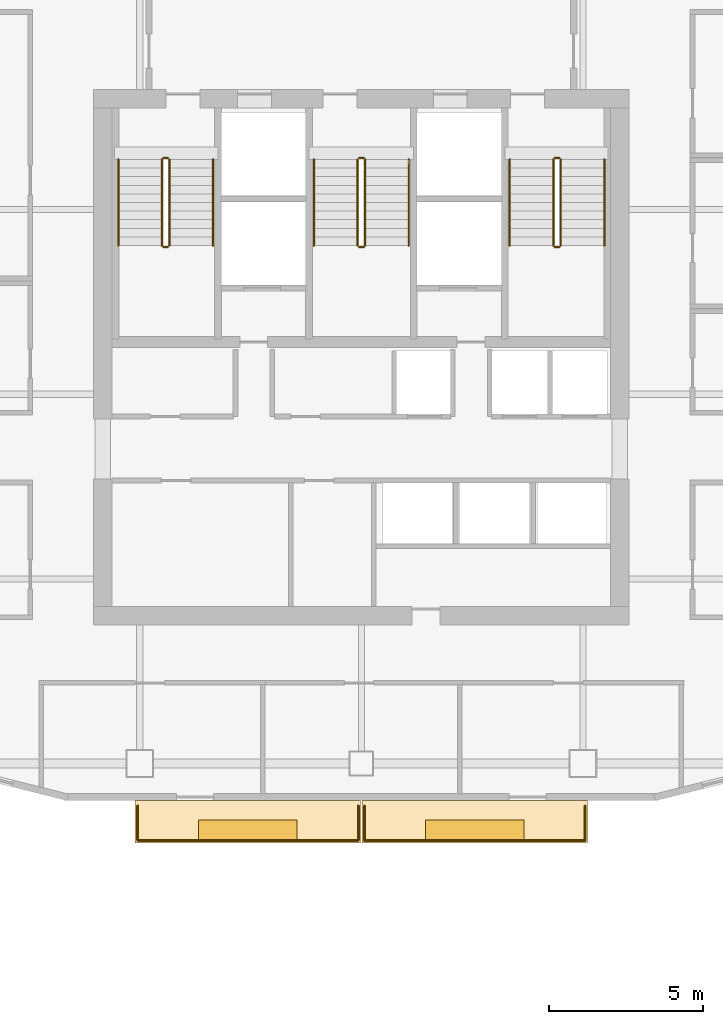
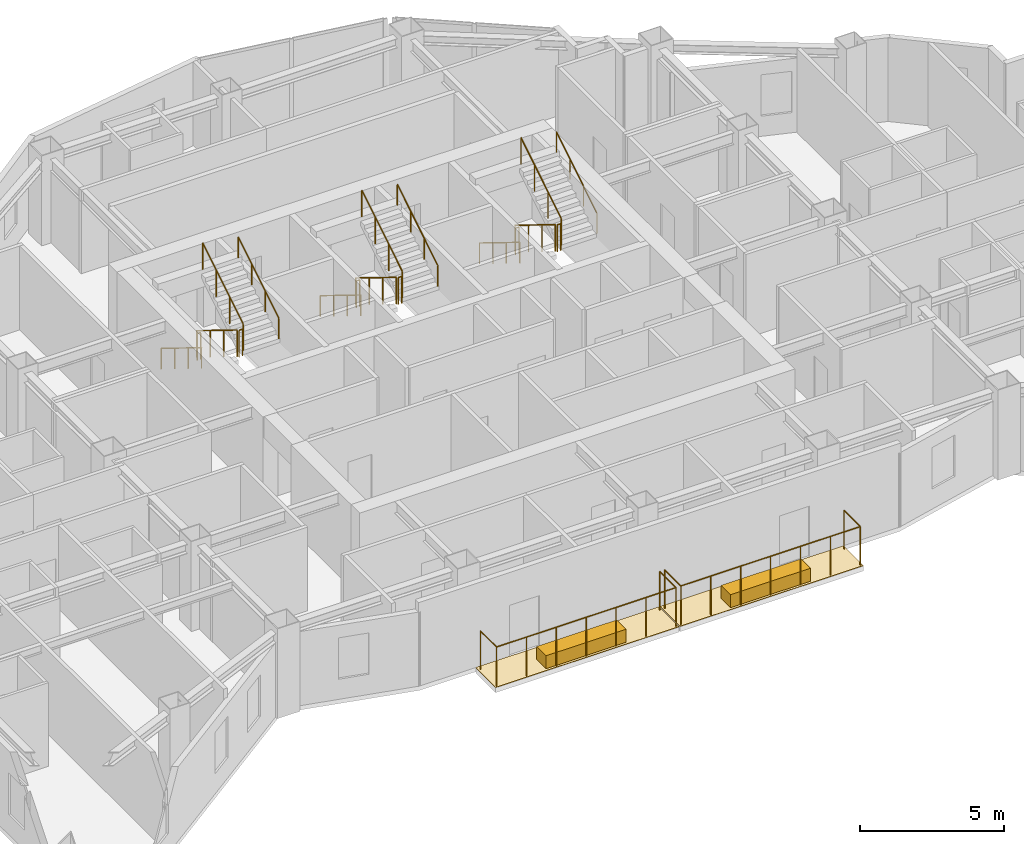
# One storey, part 11 of 11: 22 railings, 4 coverings.
"""IFC4 building model written with IfcOpenShell, lengths in metres."""

from ifc_helpers import new_model, si_unit, direction, frame, origin, origin_2d, place, context, subcontext, project, spatial, polyline, rectangle, circle, outline, extrude, material, layer, layer_set, type_object, element, save


model = new_model("IFC4")

# Units and contexts
model_context = context("Model", 3, precision=1e-05, world=origin(), true_north=direction((0.0, 1.0)))
body_context = subcontext(model_context, "Body", "Model", "MODEL_VIEW")
ifc_project = project(units=[si_unit("LENGTHUNIT", "METRE"), si_unit("AREAUNIT", "SQUARE_METRE"), si_unit("VOLUMEUNIT", "CUBIC_METRE"), si_unit("PLANEANGLEUNIT", "RADIAN"), si_unit("MASSUNIT", "GRAM", prefix="KILO")], contexts=[model_context])

# Site, building, storey
site_placement = place(None, origin())
site = spatial("IfcSite", under=ifc_project, at=site_placement, CompositionType="ELEMENT")
building_placement = place(site_placement, origin())
building = spatial("IfcBuilding", under=site, at=building_placement, Name="Haolan Belvedere Tower", CompositionType="ELEMENT")
storey_placement = place(building_placement, frame((0.0, 0.0, 226.800048828125)))
storey = spatial("IfcBuildingStorey", under=building, at=storey_placement, Name="L57", CompositionType="ELEMENT", Elevation=226.800048828125)

# Coverings
ifc_material_1 = material(Name="Engineered lightweight planted garden soil substrate", Category="masonry")
ifc_layer_1 = layer(ifc_material_1, 0.550048828125, Name="Engineered lightweight planted garden soil substrate")
ifc_layer_set_1 = layer_set([ifc_layer_1], Name="Engineered lightweight planted garden soil substrate")
covering_type_1 = type_object("IfcCoveringType", Name="COV-PLANT-550", PredefinedType="MEMBRANE", material=ifc_layer_set_1)
for number, where, z_axis, x_axis, name in (
    (1, (34.715087890625, 19.43994140625, 0.0), (0.0, 0.0, 1.0), (1.0, 0.0, 0.0), "L57 structural tree balcony PLANTER box 1"),
    (2, (42.0849609375, 19.43994140625, 0.0), (0.0, 0.0, 1.0), (1.0, 0.0, 0.0), "L57 structural tree balcony PLANTER box 2"),
):
    element("IfcCovering", number, at=place(storey_placement, frame(where, z_axis=z_axis, x_axis=x_axis)), inside=storey, type_object=covering_type_1, Name=name, PredefinedType="MEMBRANE", context=body_context, shape_type="SweptSolid", body=[
        extrude(rectangle(XDim=3.199951171875, YDim=0.64990234375, at=origin_2d()), origin(), (0.0, 0.0, 1.0), 0.550048828125),
    ])
ifc_material_2 = material(Name="Elastomeric waterproof roofing membrane and stone pavers", Category="masonry")
ifc_layer_2 = layer(ifc_material_2, 0.02001953125, Name="Elastomeric waterproof roofing membrane and stone pavers")
ifc_layer_set_2 = layer_set([ifc_layer_2], Name="Elastomeric waterproof roofing membrane and stone pavers")
covering_type_2 = type_object("IfcCoveringType", Name="COV-ROOF-20", PredefinedType="ROOFING", material=ifc_layer_set_2)
covering_1_placement = place(storey_placement, frame((0.0, 0.0, -0.02001953125)))
element("IfcCovering", 3, at=covering_1_placement, inside=storey, type_object=covering_type_2, Name="L57 tree-balcony waterproof membrane 1", PredefinedType="ROOFING", context=body_context, shape_type="SweptSolid", body=[
    extrude(outline(polyline([(31.050048828125, 19.02001953125), (38.3798828125, 19.02001953125), (38.3798828125, 20.39990234375), (31.050048828125, 20.39990234375), (31.050048828125, 19.02001953125)])), origin(), (0.0, 0.0, 1.0), 0.02001953125),
])
covering_2_placement = place(storey_placement, frame((0.0, 0.0, -0.02001953125)))
element("IfcCovering", 4, at=covering_2_placement, inside=storey, type_object=covering_type_2, Name="L57 tree-balcony waterproof membrane 2", PredefinedType="ROOFING", context=body_context, shape_type="SweptSolid", body=[
    extrude(outline(polyline([(38.419921875, 19.02001953125), (45.75, 19.02001953125), (45.75, 20.39990234375), (38.419921875, 20.39990234375), (38.419921875, 19.02001953125)])), origin(), (0.0, 0.0, 1.0), 0.02001953125),
])

# Railings
ifc_material_3 = material(Name="Brushed stainless steel 304", Category="steel")
railing_type_1 = type_object("IfcRailingType", Name="RL-STAIR-GRD-1150", PredefinedType="GUARDRAIL", material=ifc_material_3)
railing_1_placement = place(storey_placement, frame((31.919921875, 41.22998046875, 0.172607421875)))
element("IfcRailing", 5, at=railing_1_placement, inside=storey, type_object=railing_type_1, Name="L57 ST1 stair guard 1", PredefinedType="GUARDRAIL", context=body_context, shape_type="SweptSolid", body=[
    extrude(circle(Radius=0.02392578125, at=origin_2d()), frame((0.0, 0.0, 1.1259765625), z_axis=(0.0, -0.851089632645, 0.525020415988), x_axis=(1.0, 0.0, 0.0)), (0.0, 0.0, 1.0), 3.2900390625),
    extrude(circle(Radius=0.02099609375, at=origin_2d()), origin(), (0.0, 0.0, 1.0), 1.101806640625),
    extrude(circle(Radius=0.02099609375, at=origin_2d()), frame((0.0, -0.933349609375, 0.57568359375)), (0.0, 0.0, 1.0), 1.101806640625),
    extrude(circle(Radius=0.02099609375, at=origin_2d()), frame((0.0, -1.86669921875, 1.151611328125)), (0.0, 0.0, 1.0), 1.101806640625),
    extrude(circle(Radius=0.02099609375, at=origin_2d()), frame((0.0, -2.800048828125, 1.727294921875)), (0.0, 0.0, 1.0), 1.101806640625),
])
railing_2_placement = place(storey_placement, frame((31.969970703125, 38.3798828125, 1.89990234375)))
element("IfcRailing", 6, at=railing_2_placement, inside=storey, type_object=railing_type_1, Name="L57 ST1 stair guard 2", PredefinedType="GUARDRAIL", context=body_context, shape_type="SweptSolid", body=[
    extrude(circle(Radius=0.02392578125, at=origin_2d()), frame((0.0, 0.0, 1.1259765625), z_axis=(1.0, 0.0, 0.0), x_axis=(0.0, 1.0, 0.0)), (0.0, 0.0, 1.0), 0.14013671875),
    extrude(circle(Radius=0.02099609375, at=origin_2d()), origin(), (0.0, 0.0, 1.0), 1.101806640625),
    extrude(circle(Radius=0.02099609375, at=origin_2d()), frame((0.14013671875, 0.0, 0.0)), (0.0, 0.0, 1.0), 1.101806640625),
])
railing_3_placement = place(storey_placement, frame((32.159912109375, 38.429931640625, 2.07275390625)))
element("IfcRailing", 7, at=railing_3_placement, inside=storey, type_object=railing_type_1, Name="L57 ST1 stair guard 3", PredefinedType="GUARDRAIL", context=body_context, shape_type="SweptSolid", body=[
    extrude(circle(Radius=0.02392578125, at=origin_2d()), frame((0.0, 0.0, 1.1259765625), z_axis=(0.0, 0.851089632645, 0.525020415988), x_axis=(-1.0, 0.0, 0.0)), (0.0, 0.0, 1.0), 3.2900390625),
    extrude(circle(Radius=0.02099609375, at=origin_2d()), origin(), (0.0, 0.0, 1.0), 1.101806640625),
    extrude(circle(Radius=0.02099609375, at=origin_2d()), frame((0.0, 0.933349609375, 0.57568359375)), (0.0, 0.0, 1.0), 1.101806640625),
    extrude(circle(Radius=0.02099609375, at=origin_2d()), frame((0.0, 1.86669921875, 1.151611328125)), (0.0, 0.0, 1.0), 1.101806640625),
    extrude(circle(Radius=0.02099609375, at=origin_2d()), frame((0.0, 2.800048828125, 1.727294921875)), (0.0, 0.0, 1.0), 1.101806640625),
])
railing_4_placement = place(storey_placement, frame((31.969970703125, 41.280029296875, 0.0)))
element("IfcRailing", 8, at=railing_4_placement, inside=storey, type_object=railing_type_1, Name="L57 ST1 stair guard 4", PredefinedType="GUARDRAIL", context=body_context, shape_type="SweptSolid", body=[
    extrude(circle(Radius=0.02392578125, at=origin_2d()), frame((0.0, 0.0, 1.1259765625), z_axis=(1.0, 0.0, 0.0), x_axis=(0.0, 1.0, 0.0)), (0.0, 0.0, 1.0), 0.14013671875),
    extrude(circle(Radius=0.02099609375, at=origin_2d()), origin(), (0.0, 0.0, 1.0), 1.101806640625),
    extrude(circle(Radius=0.02099609375, at=origin_2d()), frame((0.14013671875, 0.0, 0.0)), (0.0, 0.0, 1.0), 1.101806640625),
])
railing_5_placement = place(storey_placement, frame((38.280029296875, 41.22998046875, 0.172607421875)))
element("IfcRailing", 9, at=railing_5_placement, inside=storey, type_object=railing_type_1, Name="L57 ST3 stair guard 1", PredefinedType="GUARDRAIL", context=body_context, shape_type="SweptSolid", body=[
    extrude(circle(Radius=0.02392578125, at=origin_2d()), frame((0.0, 0.0, 1.1259765625), z_axis=(0.0, -0.851089632645, 0.525020415988), x_axis=(1.0, 0.0, 0.0)), (0.0, 0.0, 1.0), 3.2900390625),
    extrude(circle(Radius=0.02099609375, at=origin_2d()), origin(), (0.0, 0.0, 1.0), 1.101806640625),
    extrude(circle(Radius=0.02099609375, at=origin_2d()), frame((0.0, -0.933349609375, 0.57568359375)), (0.0, 0.0, 1.0), 1.101806640625),
    extrude(circle(Radius=0.02099609375, at=origin_2d()), frame((0.0, -1.86669921875, 1.151611328125)), (0.0, 0.0, 1.0), 1.101806640625),
    extrude(circle(Radius=0.02099609375, at=origin_2d()), frame((0.0, -2.800048828125, 1.727294921875)), (0.0, 0.0, 1.0), 1.101806640625),
])
railing_6_placement = place(storey_placement, frame((38.330078125, 38.3798828125, 1.89990234375)))
element("IfcRailing", 10, at=railing_6_placement, inside=storey, type_object=railing_type_1, Name="L57 ST3 stair guard 2", PredefinedType="GUARDRAIL", context=body_context, shape_type="SweptSolid", body=[
    extrude(circle(Radius=0.02392578125, at=origin_2d()), frame((0.0, 0.0, 1.1259765625), z_axis=(1.0, 0.0, 0.0), x_axis=(0.0, 1.0, 0.0)), (0.0, 0.0, 1.0), 0.139892578125),
    extrude(circle(Radius=0.02099609375, at=origin_2d()), origin(), (0.0, 0.0, 1.0), 1.101806640625),
    extrude(circle(Radius=0.02099609375, at=origin_2d()), frame((0.139892578125, 0.0, 0.0)), (0.0, 0.0, 1.0), 1.101806640625),
])
railing_7_placement = place(storey_placement, frame((38.52001953125, 38.429931640625, 2.07275390625)))
element("IfcRailing", 11, at=railing_7_placement, inside=storey, type_object=railing_type_1, Name="L57 ST3 stair guard 3", PredefinedType="GUARDRAIL", context=body_context, shape_type="SweptSolid", body=[
    extrude(circle(Radius=0.02392578125, at=origin_2d()), frame((0.0, 0.0, 1.1259765625), z_axis=(0.0, 0.851089632645, 0.525020415988), x_axis=(-1.0, 0.0, 0.0)), (0.0, 0.0, 1.0), 3.2900390625),
    extrude(circle(Radius=0.02099609375, at=origin_2d()), origin(), (0.0, 0.0, 1.0), 1.101806640625),
    extrude(circle(Radius=0.02099609375, at=origin_2d()), frame((0.0, 0.933349609375, 0.57568359375)), (0.0, 0.0, 1.0), 1.101806640625),
    extrude(circle(Radius=0.02099609375, at=origin_2d()), frame((0.0, 1.86669921875, 1.151611328125)), (0.0, 0.0, 1.0), 1.101806640625),
    extrude(circle(Radius=0.02099609375, at=origin_2d()), frame((0.0, 2.800048828125, 1.727294921875)), (0.0, 0.0, 1.0), 1.101806640625),
])
railing_8_placement = place(storey_placement, frame((38.330078125, 41.280029296875, 0.0)))
element("IfcRailing", 12, at=railing_8_placement, inside=storey, type_object=railing_type_1, Name="L57 ST3 stair guard 4", PredefinedType="GUARDRAIL", context=body_context, shape_type="SweptSolid", body=[
    extrude(circle(Radius=0.02392578125, at=origin_2d()), frame((0.0, 0.0, 1.1259765625), z_axis=(1.0, 0.0, 0.0), x_axis=(0.0, 1.0, 0.0)), (0.0, 0.0, 1.0), 0.139892578125),
    extrude(circle(Radius=0.02099609375, at=origin_2d()), origin(), (0.0, 0.0, 1.0), 1.101806640625),
    extrude(circle(Radius=0.02099609375, at=origin_2d()), frame((0.139892578125, 0.0, 0.0)), (0.0, 0.0, 1.0), 1.101806640625),
])
railing_9_placement = place(storey_placement, frame((44.639892578125, 41.22998046875, 0.172607421875)))
element("IfcRailing", 13, at=railing_9_placement, inside=storey, type_object=railing_type_1, Name="L57 ST2 stair guard 1", PredefinedType="GUARDRAIL", context=body_context, shape_type="SweptSolid", body=[
    extrude(circle(Radius=0.02392578125, at=origin_2d()), frame((0.0, 0.0, 1.1259765625), z_axis=(0.0, -0.851089632645, 0.525020415988), x_axis=(1.0, 0.0, 0.0)), (0.0, 0.0, 1.0), 3.2900390625),
    extrude(circle(Radius=0.02099609375, at=origin_2d()), origin(), (0.0, 0.0, 1.0), 1.101806640625),
    extrude(circle(Radius=0.02099609375, at=origin_2d()), frame((0.0, -0.933349609375, 0.57568359375)), (0.0, 0.0, 1.0), 1.101806640625),
    extrude(circle(Radius=0.02099609375, at=origin_2d()), frame((0.0, -1.86669921875, 1.151611328125)), (0.0, 0.0, 1.0), 1.101806640625),
    extrude(circle(Radius=0.02099609375, at=origin_2d()), frame((0.0, -2.800048828125, 1.727294921875)), (0.0, 0.0, 1.0), 1.101806640625),
])
railing_10_placement = place(storey_placement, frame((44.68994140625, 38.3798828125, 1.89990234375)))
element("IfcRailing", 14, at=railing_10_placement, inside=storey, type_object=railing_type_1, Name="L57 ST2 stair guard 2", PredefinedType="GUARDRAIL", context=body_context, shape_type="SweptSolid", body=[
    extrude(circle(Radius=0.02392578125, at=origin_2d()), frame((0.0, 0.0, 1.1259765625), z_axis=(1.0, 0.0, 0.0), x_axis=(0.0, 1.0, 0.0)), (0.0, 0.0, 1.0), 0.14013671875),
    extrude(circle(Radius=0.02099609375, at=origin_2d()), origin(), (0.0, 0.0, 1.0), 1.101806640625),
    extrude(circle(Radius=0.02099609375, at=origin_2d()), frame((0.14013671875, 0.0, 0.0)), (0.0, 0.0, 1.0), 1.101806640625),
])
railing_11_placement = place(storey_placement, frame((44.8798828125, 38.429931640625, 2.07275390625)))
element("IfcRailing", 15, at=railing_11_placement, inside=storey, type_object=railing_type_1, Name="L57 ST2 stair guard 3", PredefinedType="GUARDRAIL", context=body_context, shape_type="SweptSolid", body=[
    extrude(circle(Radius=0.02392578125, at=origin_2d()), frame((0.0, 0.0, 1.1259765625), z_axis=(0.0, 0.851089632645, 0.525020415988), x_axis=(-1.0, 0.0, 0.0)), (0.0, 0.0, 1.0), 3.2900390625),
    extrude(circle(Radius=0.02099609375, at=origin_2d()), origin(), (0.0, 0.0, 1.0), 1.101806640625),
    extrude(circle(Radius=0.02099609375, at=origin_2d()), frame((0.0, 0.933349609375, 0.57568359375)), (0.0, 0.0, 1.0), 1.101806640625),
    extrude(circle(Radius=0.02099609375, at=origin_2d()), frame((0.0, 1.86669921875, 1.151611328125)), (0.0, 0.0, 1.0), 1.101806640625),
    extrude(circle(Radius=0.02099609375, at=origin_2d()), frame((0.0, 2.800048828125, 1.727294921875)), (0.0, 0.0, 1.0), 1.101806640625),
])
railing_12_placement = place(storey_placement, frame((44.68994140625, 41.280029296875, 0.0)))
element("IfcRailing", 16, at=railing_12_placement, inside=storey, type_object=railing_type_1, Name="L57 ST2 stair guard 4", PredefinedType="GUARDRAIL", context=body_context, shape_type="SweptSolid", body=[
    extrude(circle(Radius=0.02392578125, at=origin_2d()), frame((0.0, 0.0, 1.1259765625), z_axis=(1.0, 0.0, 0.0), x_axis=(0.0, 1.0, 0.0)), (0.0, 0.0, 1.0), 0.14013671875),
    extrude(circle(Radius=0.02099609375, at=origin_2d()), origin(), (0.0, 0.0, 1.0), 1.101806640625),
    extrude(circle(Radius=0.02099609375, at=origin_2d()), frame((0.14013671875, 0.0, 0.0)), (0.0, 0.0, 1.0), 1.101806640625),
])
railing_type_2 = type_object("IfcRailingType", Name="RL-STAIR-HND-900", PredefinedType="HANDRAIL", material=ifc_material_3)
railing_13_placement = place(storey_placement, frame((30.5, 41.22998046875, 0.172607421875)))
element("IfcRailing", 17, at=railing_13_placement, inside=storey, type_object=railing_type_2, Name="L57 ST1 stair handrail 1", PredefinedType="HANDRAIL", context=body_context, shape_type="SweptSolid", body=[
    extrude(circle(Radius=0.02392578125, at=origin_2d()), frame((0.0, 0.0, 0.8759765625), z_axis=(0.0, -0.851089632645, 0.525020415988), x_axis=(1.0, 0.0, 0.0)), (0.0, 0.0, 1.0), 3.2900390625),
    extrude(circle(Radius=0.02099609375, at=origin_2d()), origin(), (0.0, 0.0, 1.0), 0.851806640625),
    extrude(circle(Radius=0.02099609375, at=origin_2d()), frame((0.0, -0.933349609375, 0.57568359375)), (0.0, 0.0, 1.0), 0.851806640625),
    extrude(circle(Radius=0.02099609375, at=origin_2d()), frame((0.0, -1.86669921875, 1.151611328125)), (0.0, 0.0, 1.0), 0.851806640625),
    extrude(circle(Radius=0.02099609375, at=origin_2d()), frame((0.0, -2.800048828125, 1.727294921875)), (0.0, 0.0, 1.0), 0.851806640625),
])
railing_14_placement = place(storey_placement, frame((33.580078125, 38.429931640625, 2.07275390625)))
element("IfcRailing", 18, at=railing_14_placement, inside=storey, type_object=railing_type_2, Name="L57 ST1 stair handrail 2", PredefinedType="HANDRAIL", context=body_context, shape_type="SweptSolid", body=[
    extrude(circle(Radius=0.02392578125, at=origin_2d()), frame((0.0, 0.0, 0.8759765625), z_axis=(0.0, 0.851089632645, 0.525020415988), x_axis=(-1.0, 0.0, 0.0)), (0.0, 0.0, 1.0), 3.2900390625),
    extrude(circle(Radius=0.02099609375, at=origin_2d()), origin(), (0.0, 0.0, 1.0), 0.851806640625),
    extrude(circle(Radius=0.02099609375, at=origin_2d()), frame((0.0, 0.933349609375, 0.57568359375)), (0.0, 0.0, 1.0), 0.851806640625),
    extrude(circle(Radius=0.02099609375, at=origin_2d()), frame((0.0, 1.86669921875, 1.151611328125)), (0.0, 0.0, 1.0), 0.851806640625),
    extrude(circle(Radius=0.02099609375, at=origin_2d()), frame((0.0, 2.800048828125, 1.727294921875)), (0.0, 0.0, 1.0), 0.851806640625),
])
railing_15_placement = place(storey_placement, frame((36.860107421875, 41.22998046875, 0.172607421875)))
element("IfcRailing", 19, at=railing_15_placement, inside=storey, type_object=railing_type_2, Name="L57 ST3 stair handrail 1", PredefinedType="HANDRAIL", context=body_context, shape_type="SweptSolid", body=[
    extrude(circle(Radius=0.02392578125, at=origin_2d()), frame((0.0, 0.0, 0.8759765625), z_axis=(0.0, -0.851089632645, 0.525020415988), x_axis=(1.0, 0.0, 0.0)), (0.0, 0.0, 1.0), 3.2900390625),
    extrude(circle(Radius=0.02099609375, at=origin_2d()), origin(), (0.0, 0.0, 1.0), 0.851806640625),
    extrude(circle(Radius=0.02099609375, at=origin_2d()), frame((0.0, -0.933349609375, 0.57568359375)), (0.0, 0.0, 1.0), 0.851806640625),
    extrude(circle(Radius=0.02099609375, at=origin_2d()), frame((0.0, -1.86669921875, 1.151611328125)), (0.0, 0.0, 1.0), 0.851806640625),
    extrude(circle(Radius=0.02099609375, at=origin_2d()), frame((0.0, -2.800048828125, 1.727294921875)), (0.0, 0.0, 1.0), 0.851806640625),
])
railing_16_placement = place(storey_placement, frame((39.93994140625, 38.429931640625, 2.07275390625)))
element("IfcRailing", 20, at=railing_16_placement, inside=storey, type_object=railing_type_2, Name="L57 ST3 stair handrail 2", PredefinedType="HANDRAIL", context=body_context, shape_type="SweptSolid", body=[
    extrude(circle(Radius=0.02392578125, at=origin_2d()), frame((0.0, 0.0, 0.8759765625), z_axis=(0.0, 0.851089632645, 0.525020415988), x_axis=(-1.0, 0.0, 0.0)), (0.0, 0.0, 1.0), 3.2900390625),
    extrude(circle(Radius=0.02099609375, at=origin_2d()), origin(), (0.0, 0.0, 1.0), 0.851806640625),
    extrude(circle(Radius=0.02099609375, at=origin_2d()), frame((0.0, 0.933349609375, 0.57568359375)), (0.0, 0.0, 1.0), 0.851806640625),
    extrude(circle(Radius=0.02099609375, at=origin_2d()), frame((0.0, 1.86669921875, 1.151611328125)), (0.0, 0.0, 1.0), 0.851806640625),
    extrude(circle(Radius=0.02099609375, at=origin_2d()), frame((0.0, 2.800048828125, 1.727294921875)), (0.0, 0.0, 1.0), 0.851806640625),
])
railing_17_placement = place(storey_placement, frame((43.219970703125, 41.22998046875, 0.172607421875)))
element("IfcRailing", 21, at=railing_17_placement, inside=storey, type_object=railing_type_2, Name="L57 ST2 stair handrail 1", PredefinedType="HANDRAIL", context=body_context, shape_type="SweptSolid", body=[
    extrude(circle(Radius=0.02392578125, at=origin_2d()), frame((0.0, 0.0, 0.8759765625), z_axis=(0.0, -0.851089632645, 0.525020415988), x_axis=(1.0, 0.0, 0.0)), (0.0, 0.0, 1.0), 3.2900390625),
    extrude(circle(Radius=0.02099609375, at=origin_2d()), origin(), (0.0, 0.0, 1.0), 0.851806640625),
    extrude(circle(Radius=0.02099609375, at=origin_2d()), frame((0.0, -0.933349609375, 0.57568359375)), (0.0, 0.0, 1.0), 0.851806640625),
    extrude(circle(Radius=0.02099609375, at=origin_2d()), frame((0.0, -1.86669921875, 1.151611328125)), (0.0, 0.0, 1.0), 0.851806640625),
    extrude(circle(Radius=0.02099609375, at=origin_2d()), frame((0.0, -2.800048828125, 1.727294921875)), (0.0, 0.0, 1.0), 0.851806640625),
])
railing_18_placement = place(storey_placement, frame((46.300048828125, 38.429931640625, 2.07275390625)))
element("IfcRailing", 22, at=railing_18_placement, inside=storey, type_object=railing_type_2, Name="L57 ST2 stair handrail 2", PredefinedType="HANDRAIL", context=body_context, shape_type="SweptSolid", body=[
    extrude(circle(Radius=0.02392578125, at=origin_2d()), frame((0.0, 0.0, 0.8759765625), z_axis=(0.0, 0.851089632645, 0.525020415988), x_axis=(-1.0, 0.0, 0.0)), (0.0, 0.0, 1.0), 3.2900390625),
    extrude(circle(Radius=0.02099609375, at=origin_2d()), origin(), (0.0, 0.0, 1.0), 0.851806640625),
    extrude(circle(Radius=0.02099609375, at=origin_2d()), frame((0.0, 0.933349609375, 0.57568359375)), (0.0, 0.0, 1.0), 0.851806640625),
    extrude(circle(Radius=0.02099609375, at=origin_2d()), frame((0.0, 1.86669921875, 1.151611328125)), (0.0, 0.0, 1.0), 0.851806640625),
    extrude(circle(Radius=0.02099609375, at=origin_2d()), frame((0.0, 2.800048828125, 1.727294921875)), (0.0, 0.0, 1.0), 0.851806640625),
])
ifc_material_4 = material(Name="Anodised aluminium and laminated glass balustrade", Category="aluminium")
railing_type_3 = type_object("IfcRailingType", Name="RL-TER-BAL-1150", PredefinedType="BALUSTRADE", material=ifc_material_4)
railing_19_placement = place(storey_placement, frame((31.1298828125, 19.10009765625, 0.0)))
element("IfcRailing", 23, at=railing_19_placement, inside=storey, type_object=railing_type_3, Name="L57 outdoor perimeter balustrade BAL-L57-1-1", PredefinedType="BALUSTRADE", context=body_context, shape_type="SweptSolid", body=[
    extrude(circle(Radius=0.02392578125, at=origin_2d()), frame((0.0, 0.0, 1.6259765625), z_axis=(0.0, 1.0, 0.0), x_axis=(-1.0, 0.0, 0.0)), (0.0, 0.0, 1.0), 1.119873046875),
    extrude(circle(Radius=0.02099609375, at=origin_2d()), origin(), (0.0, 0.0, 1.0), 1.601806640625),
    extrude(circle(Radius=0.02099609375, at=origin_2d()), frame((0.0, 1.119873046875, 0.0)), (0.0, 0.0, 1.0), 1.601806640625),
])
railing_20_placement = place(storey_placement, frame((38.300048828125, 20.219970703125, 0.0)))
element("IfcRailing", 24, at=railing_20_placement, inside=storey, type_object=railing_type_3, Name="L57 outdoor perimeter balustrade BAL-L57-1-2", PredefinedType="BALUSTRADE", context=body_context, shape_type="SweptSolid", body=[
    extrude(circle(Radius=0.02392578125, at=origin_2d()), frame((0.0, 0.0, 1.6259765625), z_axis=(0.0, -1.0, 0.0), x_axis=(1.0, 0.0, 0.0)), (0.0, 0.0, 1.0), 1.119873046875),
    extrude(circle(Radius=0.02392578125, at=origin_2d()), frame((0.0, -1.119873046875, 1.6259765625), z_axis=(-1.0, 0.0, 0.0), x_axis=(0.0, -1.0, 0.0)), (0.0, 0.0, 1.0), 7.170166015625),
    extrude(circle(Radius=0.02099609375, at=origin_2d()), origin(), (0.0, 0.0, 1.0), 1.601806640625),
    extrude(circle(Radius=0.02099609375, at=origin_2d()), frame((0.0, -1.119873046875, 0.0)), (0.0, 0.0, 1.0), 1.601806640625),
    extrude(circle(Radius=0.02099609375, at=origin_2d()), frame((-1.195068359375, -1.119873046875, 0.0)), (0.0, 0.0, 1.0), 1.601806640625),
    extrude(circle(Radius=0.02099609375, at=origin_2d()), frame((-2.39013671875, -1.119873046875, 0.0)), (0.0, 0.0, 1.0), 1.601806640625),
    extrude(circle(Radius=0.02099609375, at=origin_2d()), frame((-3.5849609375, -1.119873046875, 0.0)), (0.0, 0.0, 1.0), 1.601806640625),
    extrude(circle(Radius=0.02099609375, at=origin_2d()), frame((-4.780029296875, -1.119873046875, 0.0)), (0.0, 0.0, 1.0), 1.601806640625),
    extrude(circle(Radius=0.02099609375, at=origin_2d()), frame((-5.97509765625, -1.119873046875, 0.0)), (0.0, 0.0, 1.0), 1.601806640625),
    extrude(circle(Radius=0.02099609375, at=origin_2d()), frame((-7.170166015625, -1.119873046875, 0.0)), (0.0, 0.0, 1.0), 1.601806640625),
])
railing_21_placement = place(storey_placement, frame((38.5, 19.10009765625, 0.0)))
element("IfcRailing", 25, at=railing_21_placement, inside=storey, type_object=railing_type_3, Name="L57 outdoor perimeter balustrade BAL-L57-2-1", PredefinedType="BALUSTRADE", context=body_context, shape_type="SweptSolid", body=[
    extrude(circle(Radius=0.02392578125, at=origin_2d()), frame((0.0, 0.0, 1.6259765625), z_axis=(0.0, 1.0, 0.0), x_axis=(-1.0, 0.0, 0.0)), (0.0, 0.0, 1.0), 1.119873046875),
    extrude(circle(Radius=0.02099609375, at=origin_2d()), origin(), (0.0, 0.0, 1.0), 1.601806640625),
    extrude(circle(Radius=0.02099609375, at=origin_2d()), frame((0.0, 1.119873046875, 0.0)), (0.0, 0.0, 1.0), 1.601806640625),
])
railing_22_placement = place(storey_placement, frame((45.669921875, 20.219970703125, 0.0)))
element("IfcRailing", 26, at=railing_22_placement, inside=storey, type_object=railing_type_3, Name="L57 outdoor perimeter balustrade BAL-L57-2-2", PredefinedType="BALUSTRADE", context=body_context, shape_type="SweptSolid", body=[
    extrude(circle(Radius=0.02392578125, at=origin_2d()), frame((0.0, 0.0, 1.6259765625), z_axis=(0.0, -1.0, 0.0), x_axis=(1.0, 0.0, 0.0)), (0.0, 0.0, 1.0), 1.119873046875),
    extrude(circle(Radius=0.02392578125, at=origin_2d()), frame((0.0, -1.119873046875, 1.6259765625), z_axis=(-1.0, 0.0, 0.0), x_axis=(0.0, -1.0, 0.0)), (0.0, 0.0, 1.0), 7.169921875),
    extrude(circle(Radius=0.02099609375, at=origin_2d()), origin(), (0.0, 0.0, 1.0), 1.601806640625),
    extrude(circle(Radius=0.02099609375, at=origin_2d()), frame((0.0, -1.119873046875, 0.0)), (0.0, 0.0, 1.0), 1.601806640625),
    extrude(circle(Radius=0.02099609375, at=origin_2d()), frame((-1.195068359375, -1.119873046875, 0.0)), (0.0, 0.0, 1.0), 1.601806640625),
    extrude(circle(Radius=0.02099609375, at=origin_2d()), frame((-2.389892578125, -1.119873046875, 0.0)), (0.0, 0.0, 1.0), 1.601806640625),
    extrude(circle(Radius=0.02099609375, at=origin_2d()), frame((-3.5849609375, -1.119873046875, 0.0)), (0.0, 0.0, 1.0), 1.601806640625),
    extrude(circle(Radius=0.02099609375, at=origin_2d()), frame((-4.780029296875, -1.119873046875, 0.0)), (0.0, 0.0, 1.0), 1.601806640625),
    extrude(circle(Radius=0.02099609375, at=origin_2d()), frame((-5.974853515625, -1.119873046875, 0.0)), (0.0, 0.0, 1.0), 1.601806640625),
    extrude(circle(Radius=0.02099609375, at=origin_2d()), frame((-7.169921875, -1.119873046875, 0.0)), (0.0, 0.0, 1.0), 1.601806640625),
])

save(model, "model.ifc")
